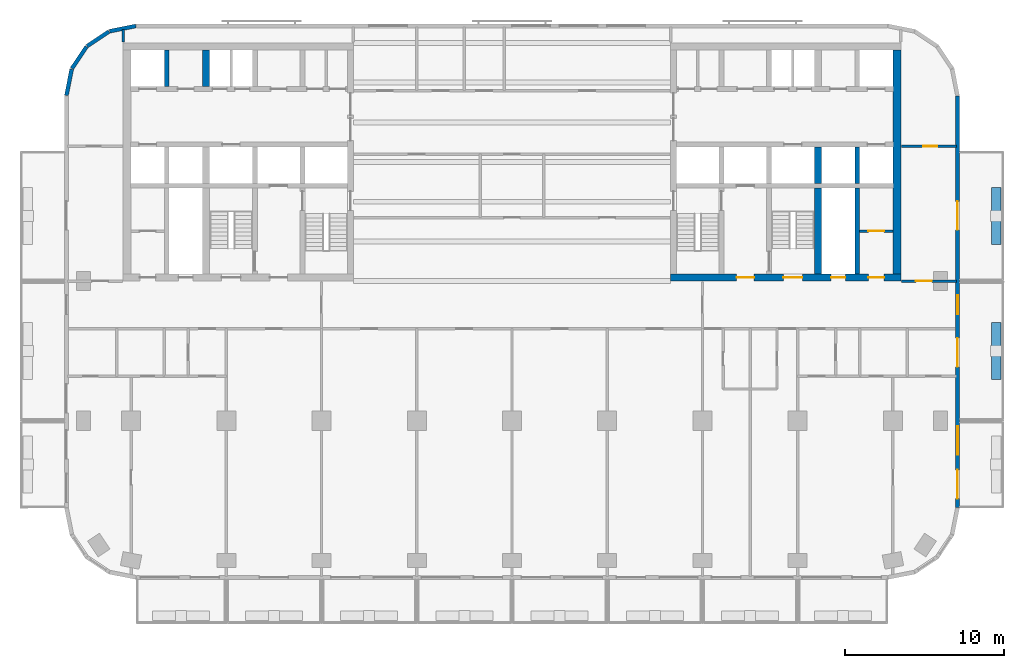
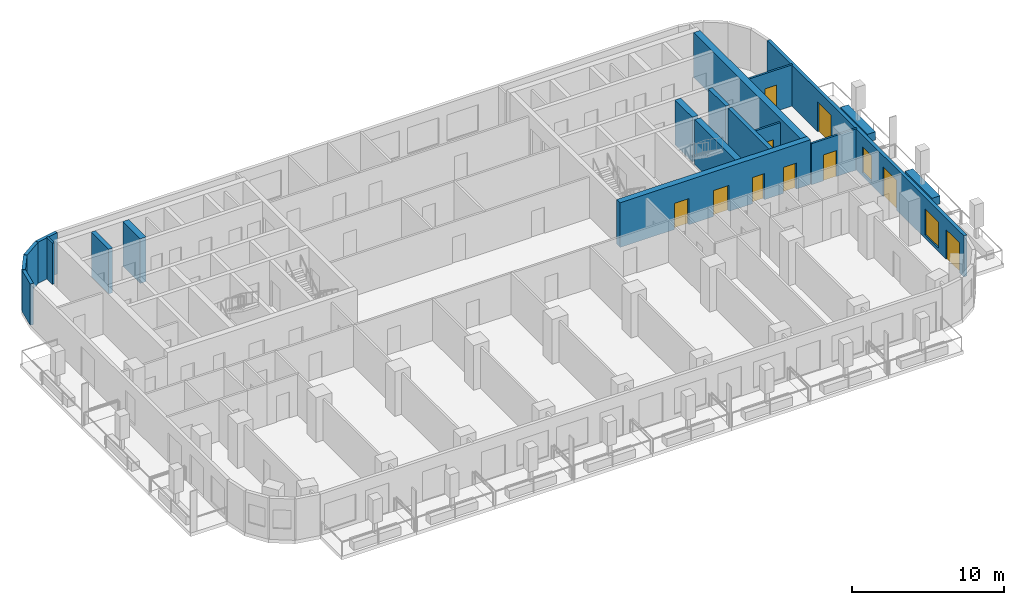
# One storey, part 6 of 12: 19 walls, 10 doors, 2 windows, 12 openings.
"""IFC4 building model written with IfcOpenShell, lengths in metres."""

from ifc_helpers import new_model, si_unit, direction, frame, frame_2d, origin, place, context, subcontext, project, spatial, rectangle, extrude, material, layer, layer_set, type_object, element, fill, save


model = new_model("IFC4")

# Units and contexts
model_context = context("Model", 3, precision=1e-05, world=origin(), true_north=direction((0.0, 1.0)))
body_context = subcontext(model_context, "Body", "Model", "MODEL_VIEW")
ifc_project = project(units=[si_unit("LENGTHUNIT", "METRE"), si_unit("AREAUNIT", "SQUARE_METRE"), si_unit("VOLUMEUNIT", "CUBIC_METRE"), si_unit("PLANEANGLEUNIT", "RADIAN"), si_unit("MASSUNIT", "GRAM", prefix="KILO")], contexts=[model_context])

# Site, building, storey
site_placement = place(None, origin())
site = spatial("IfcSite", under=ifc_project, at=site_placement, CompositionType="ELEMENT")
building_placement = place(site_placement, origin())
building = spatial("IfcBuilding", under=site, at=building_placement, Name="Torana Hotel and Residences", CompositionType="ELEMENT")
storey_placement = place(building_placement, frame((0.0, 0.0, 156.0)))
storey = spatial("IfcBuildingStorey", under=building, at=storey_placement, Name="L40", CompositionType="ELEMENT", Elevation=156.0)

# Walls
ifc_material_1 = material(Name="Concrete C70/85", Category="concrete")
ifc_layer_1 = layer(ifc_material_1, 0.300048828125)
ifc_layer_set_1 = layer_set([ifc_layer_1], Name="CORE WALL 300 C70/85")
wall_type_1 = type_object("IfcWallType", Name="CORE WALL 300 C70/85", PredefinedType="SHEAR", material=ifc_layer_set_1)
for number, where, z_axis, x_axis, name in (
    (1, (-21.75, -2.75, 0.0), (0.0, 0.0, 1.0), (0.0, 1.0, 0.0), "Core wall W mm-N"),
    (2, (21.75, -8.85009765625, 0.0), (0.0, 0.0, 1.0), (0.0, 1.0, 0.0), "Core wall E mm-S"),
):
    element("IfcWall", number, at=place(storey_placement, frame(where, z_axis=z_axis, x_axis=x_axis)), inside=storey, type_object=wall_type_1, Name=name, PredefinedType="SHEAR", context=body_context, shape_type="SweptSolid", body=[
        extrude(rectangle(XDim=2.300048828125, YDim=0.300048828125, at=frame_2d((1.14990234375, 0.0))), origin(), (0.0, 0.0, 1.0), 3.60009765625),
    ])
wall_1_placement = place(storey_placement, frame((21.75, -14.550048828125, 0.0), z_axis=(0.0, 0.0, 1.0), x_axis=(0.0, 1.0, 0.0)))
element("IfcWall", 3, at=wall_1_placement, inside=storey, type_object=wall_type_1, Name="Core wall E mm-band", PredefinedType="SHEAR", context=body_context, shape_type="SweptSolid", body=[
    extrude(rectangle(XDim=5.400146484375, YDim=0.300048828125, at=frame_2d((2.7001953125, 0.0))), origin(), (0.0, 0.0, 1.0), 3.60009765625),
])
ifc_material_2 = material(Name="Concrete C70/85", Category="concrete")
ifc_layer_2 = layer(ifc_material_2, 0.449951171875)
ifc_layer_set_2 = layer_set([ifc_layer_2], Name="CORE WALL 450 C70/85")
wall_type_2 = type_object("IfcWallType", Name="CORE WALL 450 C70/85", PredefinedType="SHEAR", material=ifc_layer_set_2)
wall_2_placement = place(storey_placement, frame((-19.27490234375, -2.75, 0.0), z_axis=(0.0, 0.0, 1.0), x_axis=(0.0, 1.0, 0.0)))
element("IfcWall", 4, at=wall_2_placement, inside=storey, type_object=wall_type_2, Name="Core wall W hm-N", PredefinedType="SHEAR", context=body_context, shape_type="SweptSolid", body=[
    extrude(rectangle(XDim=2.300048828125, YDim=0.449951171875, at=frame_2d((1.14990234375, 0.0))), origin(), (0.0, 0.0, 1.0), 3.60009765625),
])

# Wall, openings, doors
wall_3_placement = place(storey_placement, frame((10.0, -14.77490234375, 0.0), z_axis=(0.0, 0.0, 1.0), x_axis=(1.0, 0.0, 0.0)))
wall_3 = element("IfcWall", 5, at=wall_3_placement, inside=storey, type_object=wall_type_2, Name="Core wall E front", PredefinedType="SHEAR", context=body_context, shape_type="SweptSolid", body=[
    extrude(rectangle(XDim=14.5, YDim=0.449951171875, at=frame_2d((7.25, 0.0))), origin(), (0.0, 0.0, 1.0), 3.60009765625),
])
opening_1_placement = place(wall_3_placement, frame((7.10009765625, 0.0, 0.0)))
opening_1 = element("IfcOpeningElement", 6, at=opening_1_placement, cuts=wall_3, Name="Opening L40-19", PredefinedType="OPENING", context=body_context, shape_type="SweptSolid", body=[
    extrude(rectangle(XDim=1.199951171875, YDim=2.10009765625, at=frame_2d((0.60009765625, 1.050048828125))), frame((0.0, 0.23486328125, 0.0), z_axis=(0.0, -1.0, 0.0), x_axis=(1.0, 0.0, 0.0)), (0.0, 0.0, 1.0), 0.469970703125),
])
opening_2_placement = place(wall_3_placement, frame((4.14990234375, 0.0, 0.0)))
opening_2 = element("IfcOpeningElement", 7, at=opening_2_placement, cuts=wall_3, Name="Opening L40-20", PredefinedType="OPENING", context=body_context, shape_type="SweptSolid", body=[
    extrude(rectangle(XDim=1.10009765625, YDim=2.10009765625, at=frame_2d((0.550048828125, 1.050048828125))), frame((0.0, 0.23486328125, 0.0), z_axis=(0.0, -1.0, 0.0), x_axis=(1.0, 0.0, 0.0)), (0.0, 0.0, 1.0), 0.469970703125),
])
opening_3_placement = place(wall_3_placement, frame((10.10009765625, 0.0, 0.0)))
opening_3 = element("IfcOpeningElement", 8, at=opening_3_placement, cuts=wall_3, Name="Opening L40-21", PredefinedType="OPENING", context=body_context, shape_type="SweptSolid", body=[
    extrude(rectangle(XDim=0.89990234375, YDim=2.10009765625, at=frame_2d((0.449951171875, 1.050048828125))), frame((0.0, 0.23486328125, 0.0), z_axis=(0.0, -1.0, 0.0), x_axis=(1.0, 0.0, 0.0)), (0.0, 0.0, 1.0), 0.469970703125),
])
opening_4_placement = place(wall_3_placement, frame((12.449951171875, 0.0, 0.0)))
opening_4 = element("IfcOpeningElement", 9, at=opening_4_placement, cuts=wall_3, Name="Opening L40-22", PredefinedType="OPENING", context=body_context, shape_type="SweptSolid", body=[
    extrude(rectangle(XDim=1.0, YDim=2.10009765625, at=frame_2d((0.5, 1.050048828125))), frame((0.0, 0.23486328125, 0.0), z_axis=(0.0, -1.0, 0.0), x_axis=(1.0, 0.0, 0.0)), (0.0, 0.0, 1.0), 0.469970703125),
])
ifc_material_3 = material(Name="Steel S235", Category="steel")
door_type_1 = type_object("IfcDoorType", Name="CORE ROOM FIRE DOOR D14 1000x2100", OperationType="SINGLE_SWING_LEFT", PredefinedType="DOOR", material=ifc_material_3)
door_1_placement = place(opening_4_placement, origin())
door_1 = element("IfcDoor", 10, at=door_1_placement, inside=storey, type_object=door_type_1, Name="M-Room-B door L40", OperationType="SINGLE_SWING_RIGHT", OverallHeight=2.10009765625, OverallWidth=1.0, PredefinedType="DOOR", context=body_context, shape_type="SweptSolid", body=[
    extrude(rectangle(XDim=1.0, YDim=2.10009765625, at=frame_2d((0.5, 1.050048828125))), frame((0.0, 0.02490234375, 0.0), z_axis=(0.0, -1.0, 0.0), x_axis=(1.0, 0.0, 0.0)), (0.0, 0.0, 1.0), 0.050048828125),
])
fill(opening_4, door_1)
ifc_material_4 = material(Name="Steel S235", Category="steel")
door_type_2 = type_object("IfcDoorType", Name="FIRE-FIGHTING LOBBY DOOR D8 1100x2100", OperationType="SINGLE_SWING_LEFT", PredefinedType="DOOR", material=ifc_material_4)
door_2_placement = place(opening_2_placement, origin())
door_2 = element("IfcDoor", 11, at=door_2_placement, inside=storey, type_object=door_type_2, Name="FF-lobby door L40", OperationType="SINGLE_SWING_RIGHT", OverallHeight=2.10009765625, OverallWidth=1.10009765625, PredefinedType="DOOR", context=body_context, shape_type="SweptSolid", body=[
    extrude(rectangle(XDim=1.10009765625, YDim=2.10009765625, at=frame_2d((0.550048828125, 1.050048828125))), frame((0.0, 0.02490234375, 0.0), z_axis=(0.0, -1.0, 0.0), x_axis=(1.0, 0.0, 0.0)), (0.0, 0.0, 1.0), 0.050048828125),
])
fill(opening_2, door_2)
ifc_material_5 = material(Name="Steel S235", Category="steel")
door_type_3 = type_object("IfcDoorType", Name="RISER ACCESS DOOR D5 900x2100", OperationType="SINGLE_SWING_LEFT", PredefinedType="DOOR", material=ifc_material_5)
door_3_placement = place(opening_3_placement, origin())
door_3 = element("IfcDoor", 12, at=door_3_placement, inside=storey, type_object=door_type_3, Name="M-Riser door L40", OperationType="SINGLE_SWING_RIGHT", OverallHeight=2.10009765625, OverallWidth=0.89990234375, PredefinedType="DOOR", context=body_context, shape_type="SweptSolid", body=[
    extrude(rectangle(XDim=0.89990234375, YDim=2.10009765625, at=frame_2d((0.449951171875, 1.050048828125))), frame((0.0, 0.02490234375, 0.0), z_axis=(0.0, -1.0, 0.0), x_axis=(1.0, 0.0, 0.0)), (0.0, 0.0, 1.0), 0.050048828125),
])
fill(opening_3, door_3)
ifc_material_6 = material(Name="Steel S235", Category="steel")
door_type_4 = type_object("IfcDoorType", Name="STAIR FIRE DOOR D3 1200x2100", OperationType="SINGLE_SWING_LEFT", PredefinedType="DOOR", material=ifc_material_6)
door_4_placement = place(opening_1_placement, origin())
door_4 = element("IfcDoor", 13, at=door_4_placement, inside=storey, type_object=door_type_4, Name="Stair-B door L40", OperationType="SINGLE_SWING_RIGHT", OverallHeight=2.10009765625, OverallWidth=1.199951171875, PredefinedType="DOOR", context=body_context, shape_type="SweptSolid", body=[
    extrude(rectangle(XDim=1.199951171875, YDim=2.10009765625, at=frame_2d((0.60009765625, 1.050048828125))), frame((0.0, 0.02490234375, 0.0), z_axis=(0.0, -1.0, 0.0), x_axis=(1.0, 0.0, 0.0)), (0.0, 0.0, 1.0), 0.050048828125),
])
fill(opening_1, door_4)

# Walls
wall_4_placement = place(storey_placement, frame((19.27490234375, -8.85009765625, 0.0), z_axis=(0.0, 0.0, 1.0), x_axis=(0.0, 1.0, 0.0)))
element("IfcWall", 14, at=wall_4_placement, inside=storey, type_object=wall_type_2, Name="Core wall E hm-S", PredefinedType="SHEAR", context=body_context, shape_type="SweptSolid", body=[
    extrude(rectangle(XDim=2.300048828125, YDim=0.449951171875, at=frame_2d((1.14990234375, 0.0))), origin(), (0.0, 0.0, 1.0), 3.60009765625),
])
wall_5_placement = place(storey_placement, frame((19.27490234375, -14.550048828125, 0.0), z_axis=(0.0, 0.0, 1.0), x_axis=(0.0, 1.0, 0.0)))
element("IfcWall", 15, at=wall_5_placement, inside=storey, type_object=wall_type_2, Name="Core wall E hm-band", PredefinedType="SHEAR", context=body_context, shape_type="SweptSolid", body=[
    extrude(rectangle(XDim=5.400146484375, YDim=0.449951171875, at=frame_2d((2.7001953125, 0.0))), origin(), (0.0, 0.0, 1.0), 3.60009765625),
])
ifc_material_7 = material(Name="Concrete C70/85", Category="concrete")
ifc_layer_3 = layer(ifc_material_7, 0.5)
ifc_layer_set_3 = layer_set([ifc_layer_3], Name="CORE WALL 500 C70/85")
wall_type_3 = type_object("IfcWallType", Name="CORE WALL 500 C70/85", PredefinedType="SHEAR", material=ifc_layer_set_3)
wall_6_placement = place(storey_placement, frame((24.25, -14.550048828125, 0.0), z_axis=(0.0, 0.0, 1.0), x_axis=(0.0, 1.0, 0.0)))
element("IfcWall", 16, at=wall_6_placement, inside=storey, type_object=wall_type_3, Name="Core wall E outer", PredefinedType="SHEAR", context=body_context, shape_type="SweptSolid", body=[
    extrude(rectangle(XDim=14.10009765625, YDim=0.5, at=frame_2d((7.050048828125, 0.0))), origin(), (0.0, 0.0, 1.0), 3.60009765625),
])
ifc_material_8 = material(Name="Black aluminium composite panel", Category="aluminium")
ifc_layer_4 = layer(ifc_material_8, 0.00390625, Name="Cladding", Category="cladding")
ifc_material_9 = material(Name="Ventilated air cavity")
ifc_layer_5 = layer(ifc_material_9, 0.0400390625, Name="Ventilated cavity", Category="cavity")
ifc_material_10 = material(Name="Mineral wool insulation")
ifc_layer_6 = layer(ifc_material_10, 0.090087890625, Name="Insulation", Category="insulation")
ifc_material_11 = material(Name="Steel S280GD", Category="steel")
ifc_layer_7 = layer(ifc_material_11, 0.092041015625, Name="Steel stud frame", Category="structure")
ifc_material_12 = material(Name="Fire rated plasterboard")
ifc_layer_8 = layer(ifc_material_12, 0.011962890625, Name="Inner board", Category="finish")
ifc_layer_9 = layer(ifc_material_12, 0.011962890625, Name="Second board", Category="finish")
ifc_layer_set_4 = layer_set([ifc_layer_4, ifc_layer_5, ifc_layer_6, ifc_layer_7, ifc_layer_8, ifc_layer_9], Name="EW1 EXTERNAL WALL BLACK METAL CLAD 250")
wall_type_4 = type_object("IfcWallType", Name="EW1 EXTERNAL WALL BLACK METAL CLAD 250", PredefinedType="SOLIDWALL", material=ifc_layer_set_4)
wall_7_placement = place(storey_placement, frame((-23.69970703125, 1.072509765625, 0.0), z_axis=(0.0, 0.0, 1.0), x_axis=(-0.980803419081, -0.194999110559, 0.0)))
element("IfcWall", 17, at=wall_7_placement, inside=storey, type_object=wall_type_4, Name="External wall L40 e0.5", PredefinedType="SOLIDWALL", context=body_context, shape_type="SweptSolid", body=[
    extrude(rectangle(XDim=1.681396484375, YDim=0.25, at=frame_2d((0.8408203125, 0.0))), origin(), (0.0, 0.0, 1.0), 3.320068359375),
])
for number, where, z_axis, x_axis, name in (
    (18, (-25.39404296875, 0.725830078125, 0.0), (0.0, 0.0, 1.0), (-0.831482937015, -0.55555029066, 0.0), "External wall L40 e0.6"),
    (19, (-26.8056640625, -0.228759765625, 0.0), (0.0, 0.0, 1.0), (-0.55555029066, -0.831482937015, 0.0), "External wall L40 e0.7"),
):
    element("IfcWall", number, at=place(storey_placement, frame(where, z_axis=z_axis, x_axis=x_axis)), inside=storey, type_object=wall_type_4, Name=name, PredefinedType="SOLIDWALL", context=body_context, shape_type="SweptSolid", body=[
        extrude(rectangle(XDim=1.65625, YDim=0.25, at=frame_2d((0.828125, 0.0))), origin(), (0.0, 0.0, 1.0), 3.320068359375),
    ])
wall_8_placement = place(storey_placement, frame((-27.74462890625, -1.651123046875, 0.0), z_axis=(0.0, 0.0, 1.0), x_axis=(-0.194999110559, -0.980803419081, 0.0)))
element("IfcWall", 20, at=wall_8_placement, inside=storey, type_object=wall_type_4, Name="External wall L40 e0.8", PredefinedType="SOLIDWALL", context=body_context, shape_type="SweptSolid", body=[
    extrude(rectangle(XDim=1.681396484375, YDim=0.25, at=frame_2d((0.8408203125, 0.0))), origin(), (0.0, 0.0, 1.0), 3.320068359375),
])

# Wall, openings, doors, windows
wall_9_placement = place(storey_placement, frame((28.074951171875, -29.275390625, 0.0), z_axis=(0.0, 0.0, 1.0), x_axis=(0.0, 1.0, 0.0)))
wall_9 = element("IfcWall", 21, at=wall_9_placement, inside=storey, type_object=wall_type_4, Name="External wall L40 e0.19", PredefinedType="SOLIDWALL", context=body_context, shape_type="SweptSolid", body=[
    extrude(rectangle(XDim=25.95068359375, YDim=0.25, at=frame_2d((12.975341796875, 0.0))), origin(), (0.0, 0.0, 1.0), 3.320068359375),
])
opening_5_placement = place(wall_9_placement, frame((0.575439453125, 0.0, 0.0)))
opening_5 = element("IfcOpeningElement", 22, at=opening_5_placement, cuts=wall_9, Name="Opening L40-E09", PredefinedType="OPENING", context=body_context, shape_type="SweptSolid", body=[
    extrude(rectangle(XDim=1.800048828125, YDim=2.39990234375, at=frame_2d((0.89990234375, 1.199951171875))), frame((0.0, 0.135009765625, 0.0), z_axis=(0.0, -1.0, 0.0), x_axis=(1.0, 0.0, 0.0)), (0.0, 0.0, 1.0), 0.27001953125),
])
opening_6_placement = place(wall_9_placement, frame((3.325439453125, 0.0, 0.300048828125)))
opening_6 = element("IfcOpeningElement", 23, at=opening_6_placement, cuts=wall_9, Name="Opening W2", PredefinedType="OPENING", context=body_context, shape_type="SweptSolid", body=[
    extrude(rectangle(XDim=1.800048828125, YDim=2.10009765625, at=frame_2d((0.89990234375, 1.050048828125))), frame((0.0, 0.135009765625, 0.0), z_axis=(0.0, -1.0, 0.0), x_axis=(1.0, 0.0, 0.0)), (0.0, 0.0, 1.0), 0.27001953125),
])
opening_7_placement = place(wall_9_placement, frame((8.87548828125, 0.0, 0.0)))
opening_7 = element("IfcOpeningElement", 24, at=opening_7_placement, cuts=wall_9, Name="Opening L40-E10", PredefinedType="OPENING", context=body_context, shape_type="SweptSolid", body=[
    extrude(rectangle(XDim=1.800048828125, YDim=2.39990234375, at=frame_2d((0.89990234375, 1.199951171875))), frame((0.0, 0.135009765625, 0.0), z_axis=(0.0, -1.0, 0.0), x_axis=(1.0, 0.0, 0.0)), (0.0, 0.0, 1.0), 0.27001953125),
])
opening_8_placement = place(wall_9_placement, frame((12.17529296875, 0.0, 0.300048828125)))
opening_8 = element("IfcOpeningElement", 25, at=opening_8_placement, cuts=wall_9, Name="Opening W7", PredefinedType="OPENING", context=body_context, shape_type="SweptSolid", body=[
    extrude(rectangle(XDim=1.199951171875, YDim=2.10009765625, at=frame_2d((0.60009765625, 1.050048828125))), frame((0.0, 0.135009765625, 0.0), z_axis=(0.0, -1.0, 0.0), x_axis=(1.0, 0.0, 0.0)), (0.0, 0.0, 1.0), 0.27001953125),
])
opening_9_placement = place(wall_9_placement, frame((17.50048828125, 0.0, 0.0)))
opening_9 = element("IfcOpeningElement", 26, at=opening_9_placement, cuts=wall_9, Name="Opening L40-E11", PredefinedType="OPENING", context=body_context, shape_type="SweptSolid", body=[
    extrude(rectangle(XDim=1.800048828125, YDim=2.39990234375, at=frame_2d((0.89990234375, 1.199951171875))), frame((0.0, 0.135009765625, 0.0), z_axis=(0.0, -1.0, 0.0), x_axis=(1.0, 0.0, 0.0)), (0.0, 0.0, 1.0), 0.27001953125),
])
ifc_material_13 = material(Name="Dark glass in black aluminium frame", Category="aluminium")
door_type_5 = type_object("IfcDoorType", Name="DB1 BALCONY DOOR 1800x2400", OperationType="DOUBLE_DOOR_SINGLE_SWING", PredefinedType="DOOR", material=ifc_material_13)
door_5_placement = place(opening_5_placement, origin())
door_5 = element("IfcDoor", 27, at=door_5_placement, inside=storey, type_object=door_type_5, Name="Balcony door L40", OperationType="DOUBLE_DOOR_SINGLE_SWING", OverallHeight=2.39990234375, OverallWidth=1.800048828125, PredefinedType="DOOR", context=body_context, shape_type="SweptSolid", body=[
    extrude(rectangle(XDim=1.800048828125, YDim=2.39990234375, at=frame_2d((0.89990234375, 1.199951171875))), frame((0.0, 0.02490234375, 0.0), z_axis=(0.0, -1.0, 0.0), x_axis=(1.0, 0.0, 0.0)), (0.0, 0.0, 1.0), 0.050048828125),
])
fill(opening_5, door_5)
door_6_placement = place(opening_7_placement, origin())
door_6 = element("IfcDoor", 28, at=door_6_placement, inside=storey, type_object=door_type_5, Name="Balcony door L40", OperationType="DOUBLE_DOOR_SINGLE_SWING", OverallHeight=2.39990234375, OverallWidth=1.800048828125, PredefinedType="DOOR", context=body_context, shape_type="SweptSolid", body=[
    extrude(rectangle(XDim=1.800048828125, YDim=2.39990234375, at=frame_2d((0.89990234375, 1.199951171875))), frame((0.0, 0.02490234375, 0.0), z_axis=(0.0, -1.0, 0.0), x_axis=(1.0, 0.0, 0.0)), (0.0, 0.0, 1.0), 0.050048828125),
])
fill(opening_7, door_6)
door_7_placement = place(opening_9_placement, origin())
door_7 = element("IfcDoor", 29, at=door_7_placement, inside=storey, type_object=door_type_5, Name="Balcony door L40", OperationType="DOUBLE_DOOR_SINGLE_SWING", OverallHeight=2.39990234375, OverallWidth=1.800048828125, PredefinedType="DOOR", context=body_context, shape_type="SweptSolid", body=[
    extrude(rectangle(XDim=1.800048828125, YDim=2.39990234375, at=frame_2d((0.89990234375, 1.199951171875))), frame((0.0, 0.02490234375, 0.0), z_axis=(0.0, -1.0, 0.0), x_axis=(1.0, 0.0, 0.0)), (0.0, 0.0, 1.0), 0.050048828125),
])
fill(opening_9, door_7)
ifc_material_14 = material(Name="Dark glass in black aluminium frame", Category="aluminium")
window_type_1 = type_object("IfcWindowType", Name="W2 HOTEL ROOM WINDOW NARROW 1800x2100", PartitioningType="SINGLE_PANEL", PredefinedType="WINDOW", material=ifc_material_14)
window_1_placement = place(opening_6_placement, origin())
window_1 = element("IfcWindow", 30, at=window_1_placement, inside=storey, type_object=window_type_1, Name="Window L40", OverallHeight=2.10009765625, OverallWidth=1.800048828125, PartitioningType="SINGLE_PANEL", PredefinedType="WINDOW", context=body_context, shape_type="SweptSolid", body=[
    extrude(rectangle(XDim=1.800048828125, YDim=2.10009765625, at=frame_2d((0.89990234375, 1.050048828125))), frame((0.0, 0.030029296875, 0.0), z_axis=(0.0, -1.0, 0.0), x_axis=(1.0, 0.0, 0.0)), (0.0, 0.0, 1.0), 0.06005859375),
])
fill(opening_6, window_1)
ifc_material_15 = material(Name="Dark glass in black aluminium frame", Category="aluminium")
window_type_2 = type_object("IfcWindowType", Name="W7 HOTEL CORRIDOR WINDOW 1200x2100", PartitioningType="SINGLE_PANEL", PredefinedType="WINDOW", material=ifc_material_15)
window_2_placement = place(opening_8_placement, origin())
window_2 = element("IfcWindow", 31, at=window_2_placement, inside=storey, type_object=window_type_2, Name="Window L40", OverallHeight=2.10009765625, OverallWidth=1.199951171875, PartitioningType="SINGLE_PANEL", PredefinedType="WINDOW", context=body_context, shape_type="SweptSolid", body=[
    extrude(rectangle(XDim=1.199951171875, YDim=2.10009765625, at=frame_2d((0.60009765625, 1.050048828125))), frame((0.0, 0.030029296875, 0.0), z_axis=(0.0, -1.0, 0.0), x_axis=(1.0, 0.0, 0.0)), (0.0, 0.0, 1.0), 0.06005859375),
])
fill(opening_8, window_2)

# Wall, opening, door
ifc_material_16 = material(Name="Gypsum plaster")
ifc_layer_10 = layer(ifc_material_16, 0.014892578125, Name="Plaster", Category="finish")
ifc_material_17 = material(Name="Concrete blockwork", Category="masonry")
ifc_layer_11 = layer(ifc_material_17, 0.1201171875, Name="Blockwork", Category="structure")
ifc_layer_12 = layer(ifc_material_16, 0.014892578125, Name="Plaster", Category="finish")
ifc_layer_set_5 = layer_set([ifc_layer_10, ifc_layer_11, ifc_layer_12], Name="FIRE PARTITION 150 BLOCKWORK")
wall_type_5 = type_object("IfcWallType", Name="FIRE PARTITION 150 BLOCKWORK", PredefinedType="PARTITIONING", material=ifc_layer_set_5)
wall_10_placement = place(storey_placement, frame((21.89990234375, -11.85009765625, 0.0), z_axis=(0.0, 0.0, 1.0), x_axis=(1.0, 0.0, 0.0)))
wall_10 = element("IfcWall", 32, at=wall_10_placement, inside=storey, type_object=wall_type_5, Name="Core partition L40", PredefinedType="PARTITIONING", context=body_context, shape_type="SweptSolid", body=[
    extrude(rectangle(XDim=2.10009765625, YDim=0.14990234375, at=frame_2d((1.050048828125, 0.0))), origin(), (0.0, 0.0, 1.0), 3.300048828125),
])
opening_10_placement = place(wall_10_placement, frame((0.550048828125, 0.0, 0.0)))
opening_10 = element("IfcOpeningElement", 33, at=opening_10_placement, cuts=wall_10, Name="Opening L40-32", PredefinedType="OPENING", context=body_context, shape_type="SweptSolid", body=[
    extrude(rectangle(XDim=1.0, YDim=2.10009765625, at=frame_2d((0.5, 1.050048828125))), frame((0.0, 0.0849609375, 0.0), z_axis=(0.0, -1.0, 0.0), x_axis=(1.0, 0.0, 0.0)), (0.0, 0.0, 1.0), 0.169921875),
])
door_8_placement = place(opening_10_placement, origin())
door_8 = element("IfcDoor", 34, at=door_8_placement, inside=storey, type_object=door_type_1, Name="Plant room door L40", OperationType="SINGLE_SWING_RIGHT", OverallHeight=2.10009765625, OverallWidth=1.0, PredefinedType="DOOR", context=body_context, shape_type="SweptSolid", body=[
    extrude(rectangle(XDim=1.0, YDim=2.10009765625, at=frame_2d((0.5, 1.050048828125))), frame((0.0, 0.02490234375, 0.0), z_axis=(0.0, -1.0, 0.0), x_axis=(1.0, 0.0, 0.0)), (0.0, 0.0, 1.0), 0.050048828125),
])
fill(opening_10, door_8)

wall_11_placement = place(storey_placement, frame((24.550048828125, -15.0, 0.0), z_axis=(0.0, 0.0, 1.0), x_axis=(1.0, 0.0, 0.0)))
wall_11 = element("IfcWall", 35, at=wall_11_placement, inside=storey, type_object=wall_type_5, Name="Partition L40", PredefinedType="PARTITIONING", context=body_context, shape_type="SweptSolid", body=[
    extrude(rectangle(XDim=3.469970703125, YDim=0.14990234375, at=frame_2d((1.73486328125, 0.0))), origin(), (0.0, 0.0, 1.0), 3.320068359375),
])
opening_11_placement = place(wall_11_placement, frame((0.89990234375, 0.0, 0.0)))
opening_11 = element("IfcOpeningElement", 36, at=opening_11_placement, cuts=wall_11, Name="Opening L40-41", PredefinedType="OPENING", context=body_context, shape_type="SweptSolid", body=[
    extrude(rectangle(XDim=1.0, YDim=2.10009765625, at=frame_2d((0.5, 1.050048828125))), frame((0.0, 0.0849609375, 0.0), z_axis=(0.0, -1.0, 0.0), x_axis=(1.0, 0.0, 0.0)), (0.0, 0.0, 1.0), 0.169921875),
])
door_9_placement = place(opening_11_placement, origin())
door_9 = element("IfcDoor", 37, at=door_9_placement, inside=storey, type_object=door_type_1, Name="Door L40", OperationType="SINGLE_SWING_LEFT", OverallHeight=2.10009765625, OverallWidth=1.0, PredefinedType="DOOR", context=body_context, shape_type="SweptSolid", body=[
    extrude(rectangle(XDim=1.0, YDim=2.10009765625, at=frame_2d((0.5, 1.050048828125))), frame((0.0, 0.02490234375, 0.0), z_axis=(0.0, -1.0, 0.0), x_axis=(1.0, 0.0, 0.0)), (0.0, 0.0, 1.0), 0.050048828125),
])
fill(opening_11, door_9)

# Wall
ifc_material_18 = material(Name="Gypsum plasterboard")
ifc_layer_13 = layer(ifc_material_18, 0.012451171875, Name="Plasterboard", Category="finish")
ifc_layer_14 = layer(ifc_material_18, 0.012451171875, Name="Plasterboard", Category="finish")
ifc_layer_15 = layer(ifc_material_11, 0.10009765625, Name="Steel studs with mineral wool", Category="insulation")
ifc_layer_16 = layer(ifc_material_18, 0.012451171875, Name="Plasterboard", Category="finish")
ifc_layer_17 = layer(ifc_material_18, 0.012451171875, Name="Plasterboard", Category="finish")
ifc_layer_set_6 = layer_set([ifc_layer_13, ifc_layer_14, ifc_layer_15, ifc_layer_16, ifc_layer_17], Name="PARTITION 150 PLASTERBOARD")
wall_type_6 = type_object("IfcWallType", Name="PARTITION 150 PLASTERBOARD", PredefinedType="PARTITIONING", material=ifc_layer_set_6)
wall_12_placement = place(storey_placement, frame((-24.5, 0.050048828125, 0.0), z_axis=(0.0, 0.0, 1.0), x_axis=(0.0, 1.0, 0.0)))
element("IfcWall", 38, at=wall_12_placement, inside=storey, type_object=wall_type_6, Name="Partition L40", PredefinedType="PARTITIONING", context=body_context, shape_type="SweptSolid", body=[
    extrude(rectangle(XDim=0.807373046875, YDim=0.14990234375, at=frame_2d((0.40380859375, 0.0))), origin(), (0.0, 0.0, 1.0), 3.320068359375),
])

# Wall, opening, door
wall_13_placement = place(storey_placement, frame((24.550048828125, -6.5, 0.0), z_axis=(0.0, 0.0, 1.0), x_axis=(1.0, 0.0, 0.0)))
wall_13 = element("IfcWall", 39, at=wall_13_placement, inside=storey, type_object=wall_type_6, Name="Partition L40", PredefinedType="PARTITIONING", context=body_context, shape_type="SweptSolid", body=[
    extrude(rectangle(XDim=3.469970703125, YDim=0.14990234375, at=frame_2d((1.73486328125, 0.0))), origin(), (0.0, 0.0, 1.0), 3.320068359375),
])
opening_12_placement = place(wall_13_placement, frame((1.35009765625, 0.0, 0.0)))
opening_12 = element("IfcOpeningElement", 40, at=opening_12_placement, cuts=wall_13, Name="Opening L40-67", PredefinedType="OPENING", context=body_context, shape_type="SweptSolid", body=[
    extrude(rectangle(XDim=0.89990234375, YDim=2.10009765625, at=frame_2d((0.449951171875, 1.050048828125))), frame((0.0, 0.0849609375, 0.0), z_axis=(0.0, -1.0, 0.0), x_axis=(1.0, 0.0, 0.0)), (0.0, 0.0, 1.0), 0.169921875),
])
ifc_material_19 = material(Name="Timber door, oiled ash", Category="wood")
door_type_6 = type_object("IfcDoorType", Name="ROOM DOOR D7 900x2100", OperationType="SINGLE_SWING_LEFT", PredefinedType="DOOR", material=ifc_material_19)
door_10_placement = place(opening_12_placement, origin())
door_10 = element("IfcDoor", 41, at=door_10_placement, inside=storey, type_object=door_type_6, Name="Door L40", OperationType="SINGLE_SWING_LEFT", OverallHeight=2.10009765625, OverallWidth=0.89990234375, PredefinedType="DOOR", context=body_context, shape_type="SweptSolid", body=[
    extrude(rectangle(XDim=0.89990234375, YDim=2.10009765625, at=frame_2d((0.449951171875, 1.050048828125))), frame((0.0, 0.02490234375, 0.0), z_axis=(0.0, -1.0, 0.0), x_axis=(1.0, 0.0, 0.0)), (0.0, 0.0, 1.0), 0.050048828125),
])
fill(opening_12, door_10)

# Walls
ifc_material_20 = material(Name="Concrete C40/50 precast", Category="concrete")
ifc_layer_18 = layer(ifc_material_20, 0.10009765625, Name="Planter shell", Category="structure")
ifc_material_21 = material(Name="Root resistant membrane")
ifc_layer_19 = layer(ifc_material_21, 0.00390625, Name="Waterproofing membrane", Category="membrane")
ifc_material_22 = material(Name="Drainage board with filter fleece")
ifc_layer_20 = layer(ifc_material_22, 0.02001953125, Name="Drainage board", Category="drainage")
ifc_material_23 = material(Name="Growing medium")
ifc_layer_21 = layer(ifc_material_23, 0.47607421875, Name="Planting substrate", Category="soil")
ifc_layer_set_7 = layer_set([ifc_layer_18, ifc_layer_19, ifc_layer_20, ifc_layer_21], Name="PL1 BALCONY PLANTER 600")
wall_type_7 = type_object("IfcWallType", Name="PL1 BALCONY PLANTER 600", PredefinedType="USERDEFINED", material=ifc_layer_set_7)
for number, where, z_axis, x_axis, name in (
    (42, (30.5, -17.60009765625, 0.0), (0.0, 0.0, 1.0), (0.0, -1.0, 0.0), "Planter 13"),
    (43, (30.5, -9.10009765625, 0.0), (0.0, 0.0, 1.0), (0.0, -1.0, 0.0), "Planter 14"),
):
    element("IfcWall", number, at=place(storey_placement, frame(where, z_axis=z_axis, x_axis=x_axis)), inside=storey, type_object=wall_type_7, Name=name, ObjectType="PLANTER", PredefinedType="USERDEFINED", context=body_context, shape_type="SweptSolid", body=[
        extrude(rectangle(XDim=3.599853515625, YDim=0.60009765625, at=frame_2d((1.7998046875, 0.0))), origin(), (0.0, 0.0, 1.0), 0.64990234375),
    ])

save(model, "model.ifc")
